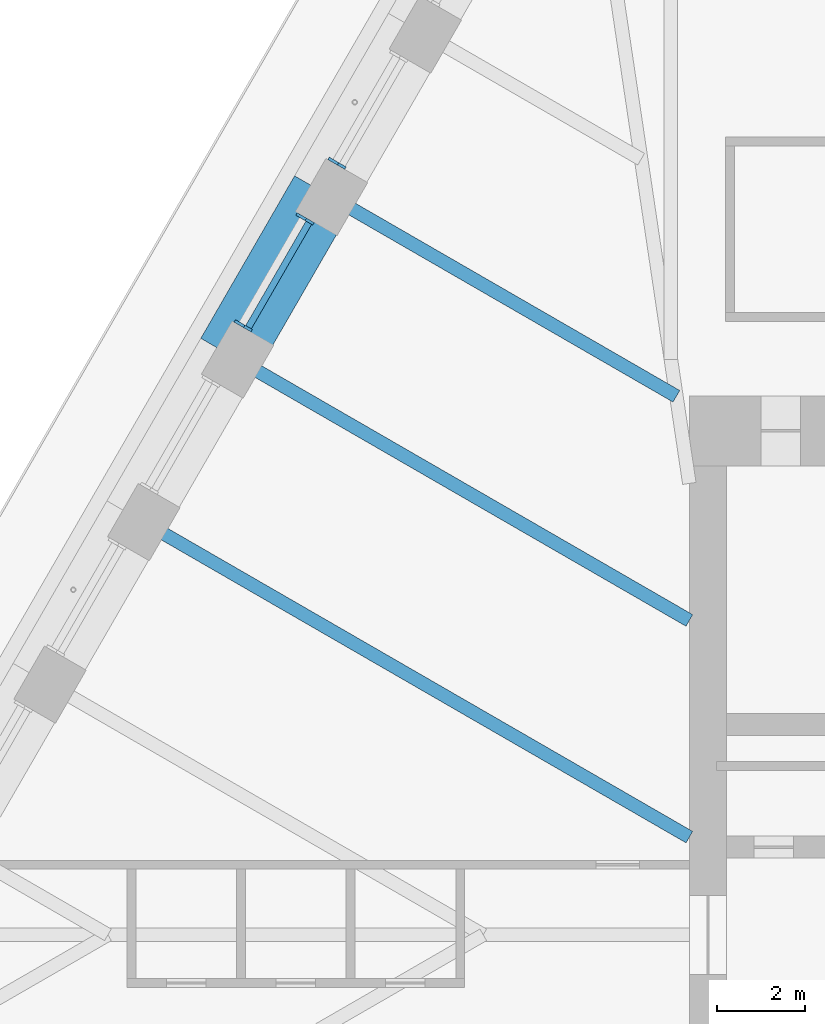
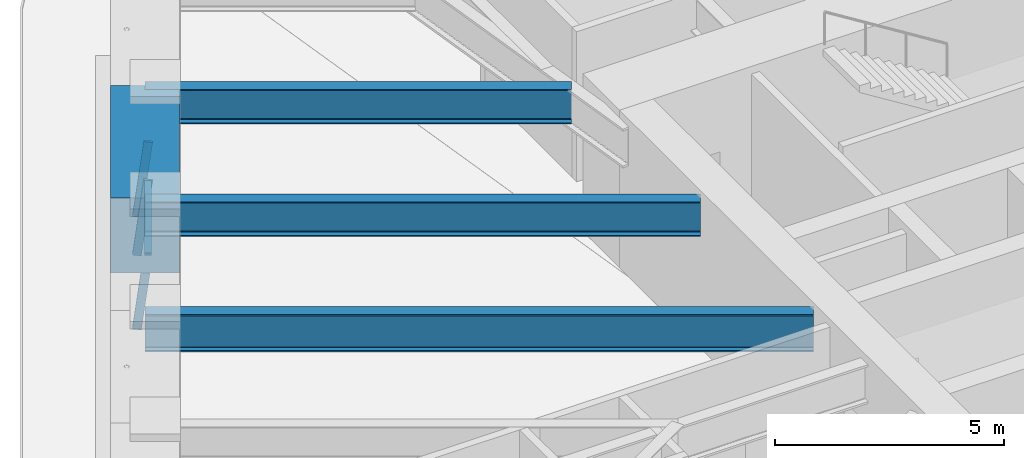
# One storey, part 7 of 18: 4 beams, 4 members, 2 elements without a shape of their own.
"""IFC4 building model written with IfcOpenShell, lengths in metres."""

from ifc_helpers import new_model, si_unit, direction, frame, origin, origin_2d, place, context, subcontext, project, spatial, rectangle, i_section, extrude, material, material_profile, profile_set, type_object, element, aggregate, save


model = new_model("IFC4")

# Units and contexts
model_context = context("Model", 3, precision=1e-05, world=origin(), true_north=direction((0.0, 1.0)))
body_context = subcontext(model_context, "Body", "Model", "MODEL_VIEW")
ifc_project = project(units=[si_unit("LENGTHUNIT", "METRE"), si_unit("AREAUNIT", "SQUARE_METRE"), si_unit("VOLUMEUNIT", "CUBIC_METRE"), si_unit("PLANEANGLEUNIT", "RADIAN"), si_unit("MASSUNIT", "GRAM", prefix="KILO")], contexts=[model_context])

# Site, building, storey
site_placement = place(None, origin())
site = spatial("IfcSite", under=ifc_project, at=site_placement, CompositionType="ELEMENT")
building_placement = place(site_placement, origin())
building = spatial("IfcBuilding", under=site, at=building_placement, Name="Tarfa Lantern Tower", CompositionType="ELEMENT")
storey_placement = place(building_placement, frame((0.0, 0.0, 319.89990234375)))
storey = spatial("IfcBuildingStorey", under=building, at=storey_placement, Name="L72", CompositionType="ELEMENT", Elevation=319.89990234375)

# Curtain wall, member
ifc_material_1 = material(Name="Aluminium framed curtain wall", Category="aluminium")
curtain_wall_type = type_object("IfcCurtainWallType", Name="CW4 CANTED GLAZING EXECUTIVE ZONE 2000", PredefinedType="USERDEFINED", material=ifc_material_1)
curtain_wall_1_placement = place(storey_placement, origin())
curtain_wall_1 = element("IfcCurtainWall", 1, at=curtain_wall_1_placement, inside=storey, type_object=curtain_wall_type, Name="CW4 NW L72", ObjectType="CURTAIN WALL", PredefinedType="USERDEFINED")
ifc_material_2 = material(Name="Aluminium mullion", Category="aluminium")
ifc_material_profile_1 = material_profile(ifc_material_2, rectangle(XDim=0.06494140625, YDim=0.199951171875, at=origin_2d()), Name="AL MULLION 65x200")
ifc_profile_set_1 = profile_set([ifc_material_profile_1], Name="Aluminium mullion")
member_type_1 = type_object("IfcMemberType", Name="CWM1 MULLION 65x200", PredefinedType="MULLION", material=ifc_profile_set_1)
member_1_placement = place(storey_placement, frame((-20.572265625, 17.667724609375, 0.0), z_axis=(0.107439978116, -0.062017213975, 0.992275423596), x_axis=(0.499919672301, 0.866071776036, 0.0)))
member_1 = element("IfcMember", 2, at=member_1_placement, type_object=member_type_1, Name="CW4 mullion 2", PredefinedType="MULLION", context=body_context, shape_type="SweptSolid", body=[
    extrude(rectangle(XDim=0.06494140625, YDim=0.199951171875, at=origin_2d()), origin(), (0.0, 0.0, 1.0), 2.015625),
])
aggregate(curtain_wall_1, [member_1])

# Curtain wall, members
curtain_wall_2_placement = place(storey_placement, origin())
curtain_wall_2 = element("IfcCurtainWall", 3, at=curtain_wall_2_placement, inside=storey, type_object=curtain_wall_type, Name="CW4 NW L72", ObjectType="CURTAIN WALL", PredefinedType="USERDEFINED")
member_2_placement = place(storey_placement, frame((-21.304931640625, 16.39892578125, 0.0), z_axis=(0.107439978116, -0.062017213975, 0.992275423596), x_axis=(0.499919672301, 0.866071776036, 0.0)))
member_2 = element("IfcMember", 4, at=member_2_placement, type_object=member_type_1, Name="CW4 mullion 1", PredefinedType="MULLION", context=body_context, shape_type="SweptSolid", body=[
    extrude(rectangle(XDim=0.06494140625, YDim=0.199951171875, at=origin_2d()), origin(), (0.0, 0.0, 1.0), 2.015625),
])
member_3_placement = place(storey_placement, frame((-22.71337890625, 13.95947265625, 0.0), z_axis=(0.107439978116, -0.062017213975, 0.992275423596), x_axis=(0.499919672301, 0.866071776036, 0.0)))
member_3 = element("IfcMember", 5, at=member_3_placement, type_object=member_type_1, Name="CW4 mullion 2", PredefinedType="MULLION", context=body_context, shape_type="SweptSolid", body=[
    extrude(rectangle(XDim=0.06494140625, YDim=0.199951171875, at=origin_2d()), origin(), (0.0, 0.0, 1.0), 2.015625),
])
ifc_material_3 = material(Name="Aluminium transom", Category="aluminium")
ifc_material_profile_2 = material_profile(ifc_material_3, rectangle(XDim=0.14990234375, YDim=0.06494140625, at=origin_2d()), Name="AL TRANSOM 150x65")
ifc_profile_set_2 = profile_set([ifc_material_profile_2], Name="Aluminium transom")
member_type_2 = type_object("IfcMemberType", Name="CWT1 TRANSOM 150x65", PredefinedType="USERDEFINED", material=ifc_profile_set_2)
member_4_placement = place(storey_placement, frame((-21.108154296875, 16.247802734375, 1.967529296875), z_axis=(-0.499993790352, -0.866028988896, 0.0), x_axis=(0.866028988896, -0.499993790352, 0.0)))
member_4 = element("IfcMember", 6, at=member_4_placement, type_object=member_type_2, Name="CW4 transom 1.2", ObjectType="TRANSOM", PredefinedType="USERDEFINED", context=body_context, shape_type="SweptSolid", body=[
    extrude(rectangle(XDim=0.14990234375, YDim=0.06494140625, at=origin_2d()), origin(), (0.0, 0.0, 1.0), 2.751953125),
])
aggregate(curtain_wall_2, [member_2, member_3, member_4])

# Beams
ifc_material_4 = material(Name="Concrete C80/95", Category="concrete")
ifc_material_profile_3 = material_profile(ifc_material_4, rectangle(XDim=1.5, YDim=2.0, at=origin_2d()), Name="RC 1500x2000")
ifc_profile_set_3 = profile_set([ifc_material_profile_3], Name="Concrete C80/95")
beam_type_1 = type_object("IfcBeamType", Name="RB3 RC 1500x2000", PredefinedType="BEAM", material=ifc_profile_set_3)
beam_1_placement = place(storey_placement, frame((-20.78271484375, 16.943359375, 3.0), z_axis=(-0.499984039138, -0.866034618596, 0.0), x_axis=(0.866034618596, -0.499984039138, 0.0)))
element("IfcBeam", 7, at=beam_1_placement, inside=storey, type_object=beam_type_1, Name="Edge beam NW2", PredefinedType="BEAM", context=body_context, shape_type="SweptSolid", body=[
    extrude(rectangle(XDim=1.5, YDim=2.0, at=origin_2d()), origin(), (0.0, 0.0, 1.0), 4.281982421875),
])
ifc_material_5 = material(Name="Steel S460M", Category="steel")
ifc_material_profile_4 = material_profile(ifc_material_5, i_section(OverallWidth=0.302001953125, OverallDepth=1.008056640625, WebThickness=0.02099609375, FlangeThickness=0.0400390625, FilletRadius=0.030029296875, at=origin_2d()), Name="UB1016x305x349")
ifc_profile_set_4 = profile_set([ifc_material_profile_4], Name="Steel S460M")
beam_type_2 = type_object("IfcBeamType", Name="UB1016x305x349", PredefinedType="BEAM", material=ifc_profile_set_4)
beam_2_placement = place(storey_placement, frame((-25.064697265625, 9.526611328125, 3.49609375), z_axis=(0.866029591389, -0.499992746786, 0.0), x_axis=(0.499992746786, 0.866029591389, 0.0)))
element("IfcBeam", 8, at=beam_2_placement, inside=storey, type_object=beam_type_2, Name="Floor beam NW4", PredefinedType="BEAM", context=body_context, shape_type="SweptSolid", body=[
    extrude(i_section(OverallWidth=0.302001953125, OverallDepth=1.008056640625, WebThickness=0.02099609375, FlangeThickness=0.0400390625, FilletRadius=0.030029296875, at=origin_2d()), origin(), (0.0, 0.0, 1.0), 14.594970703125),
])
ifc_material_profile_5 = material_profile(ifc_material_5, i_section(OverallWidth=0.305419921875, OverallDepth=0.91845703125, WebThickness=0.017333984375, FlangeThickness=0.02783203125, FilletRadius=0.01904296875, at=origin_2d()), Name="UB914x305x253")
ifc_profile_set_5 = profile_set([ifc_material_profile_5], Name="Steel S460M")
beam_type_3 = type_object("IfcBeamType", Name="UB914x305x253", PredefinedType="BEAM", material=ifc_profile_set_5)
beam_3_placement = place(storey_placement, frame((-20.78271484375, 16.943359375, 3.541015625), z_axis=(0.866021806508, -0.500006230613, 0.0), x_axis=(0.500006230613, 0.866021806508, 0.0)))
element("IfcBeam", 9, at=beam_3_placement, inside=storey, type_object=beam_type_3, Name="Floor beam NW2", PredefinedType="BEAM", context=body_context, shape_type="SweptSolid", body=[
    extrude(i_section(OverallWidth=0.305419921875, OverallDepth=0.91845703125, WebThickness=0.017333984375, FlangeThickness=0.02783203125, FilletRadius=0.01904296875, at=origin_2d()), origin(), (0.0, 0.0, 1.0), 9.30908203125),
])
beam_4_placement = place(storey_placement, frame((-22.923583984375, 13.235107421875, 3.541015625), z_axis=(0.86601856927, -0.500011837539, 0.0), x_axis=(0.500011837539, 0.86601856927, 0.0)))
element("IfcBeam", 10, at=beam_4_placement, inside=storey, type_object=beam_type_3, Name="Floor beam NW3", PredefinedType="BEAM", context=body_context, shape_type="SweptSolid", body=[
    extrude(i_section(OverallWidth=0.305419921875, OverallDepth=0.91845703125, WebThickness=0.017333984375, FlangeThickness=0.02783203125, FilletRadius=0.01904296875, at=origin_2d()), origin(), (0.0, 0.0, 1.0), 12.122802734375),
])

save(model, "model.ifc")
